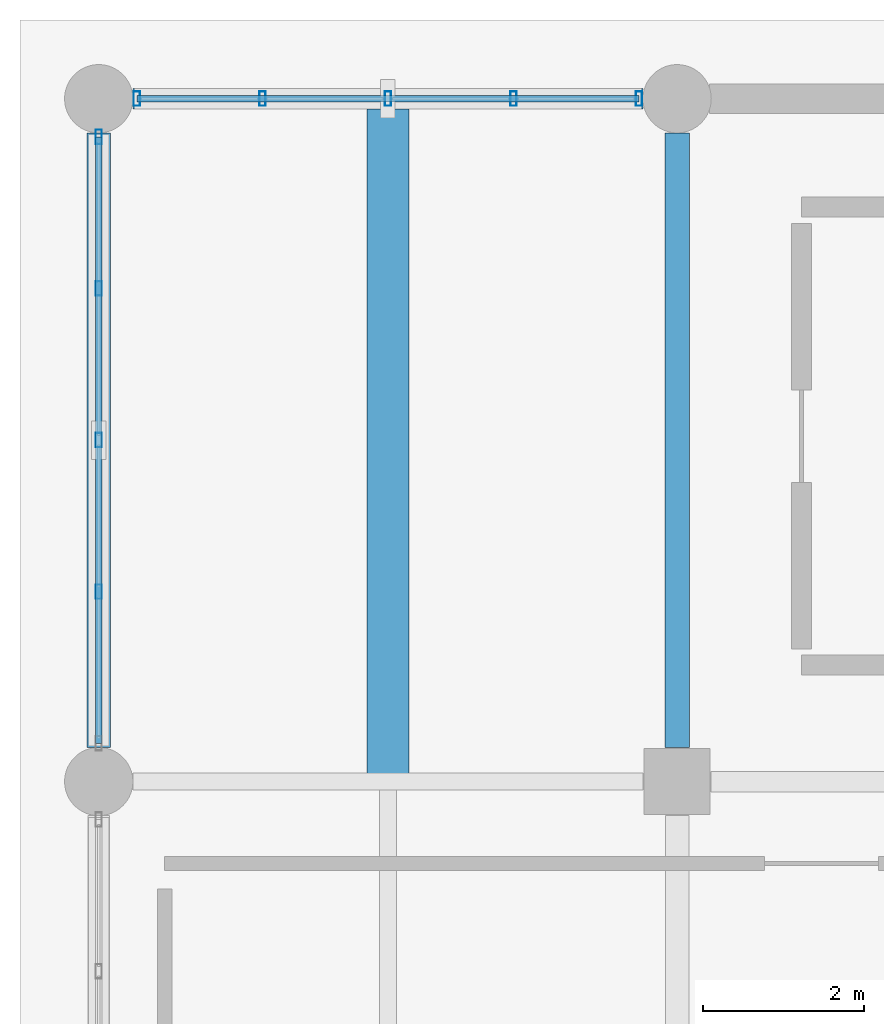
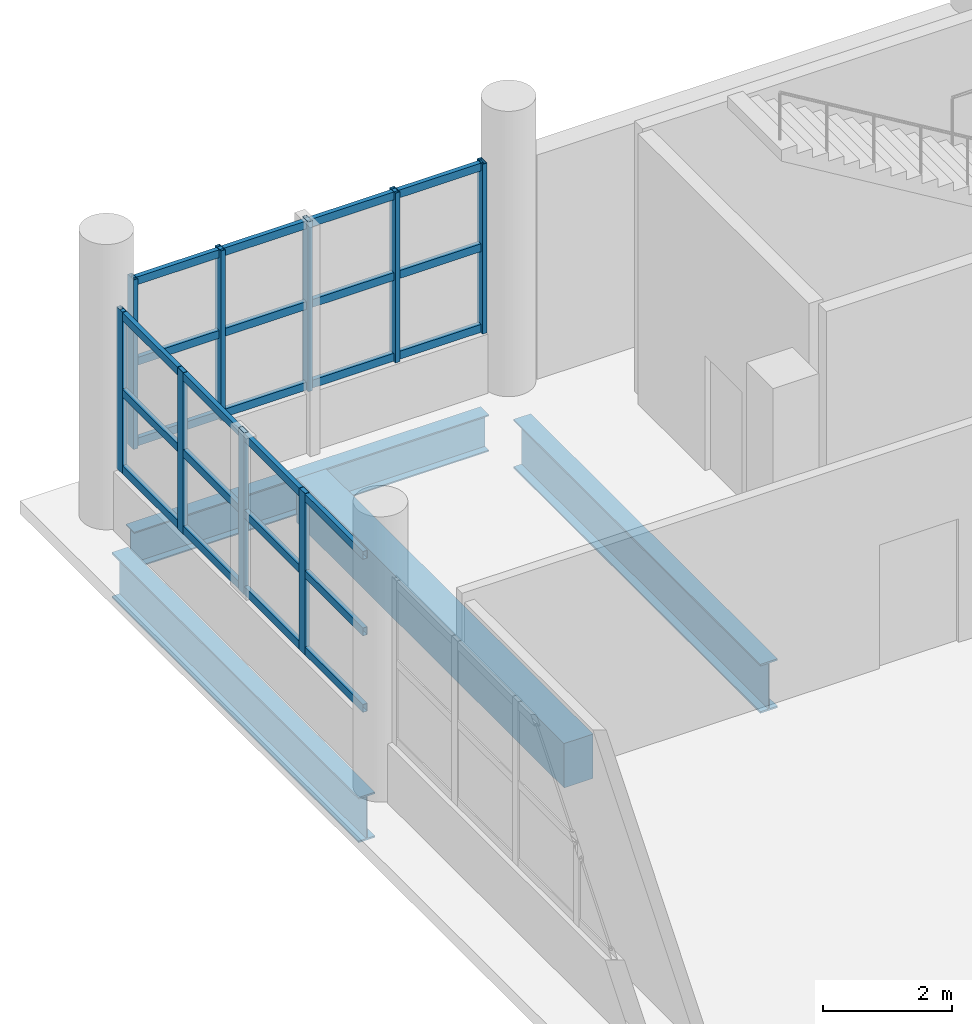
# One storey, part 63 of 107: 15 members, 4 beams, 2 elements without a shape of their own.
"""IFC4 building model written with IfcOpenShell, lengths in metres."""

import ifcopenshell
import ifcopenshell.guid

model = None  # the IFC model being written
_history = None  # IfcOwnerHistory: only IFC2X3 demands one
_inside = {}  # id of a spatial element -> (the spatial element, [elements in it])
_under = {}  # id of a project, library or spatial element -> (it, [spatial elements below it])
_declared = {}  # id of a project -> (the project, [libraries it declares])
_typed = {}  # id of a type object -> (the type object, [elements of that type])
_made_of = {}  # id of a material, layer set ... -> (it, [elements and type objects made of it])


def new_model(schema):
    """Start an empty IFC model of exactly this schema.

    Asked for "IFC4X3", IfcOpenShell would pick the latest addendum, in which some entities
    have other attributes; the version numbers below select the first issue.
    IFC2X3 requires an IfcOwnerHistory on every rooted entity: one is made here for all.
    """
    global model, _history
    if schema == "IFC4X3":
        model = ifcopenshell.file(schema_version=(4, 3, 0, 0))
    else:
        model = ifcopenshell.file(schema=schema)
    _inside.clear()
    _under.clear()
    _declared.clear()
    _typed.clear()
    _made_of.clear()
    _history = None
    if model.schema == "IFC2X3":
        org = make("IfcOrganization", Name="unknown")
        user = make(
            "IfcPersonAndOrganization",
            ThePerson=make("IfcPerson", FamilyName="unknown"),
            TheOrganization=org,
        )
        app = make(
            "IfcApplication",
            ApplicationDeveloper=org,
            Version="unknown",
            ApplicationFullName="unknown",
            ApplicationIdentifier="unknown",
        )
        _history = make(
            "IfcOwnerHistory",
            OwningUser=user,
            OwningApplication=app,
            ChangeAction="ADDED",
            CreationDate=0,
        )
    return model


def make(cls, **values):
    """One entity of the class cls with the attributes given. An attribute that is None is left unset."""
    return model.create_entity(
        cls, **{name: value for name, value in values.items() if value is not None}
    )


def rooted(cls, **values):
    """An entity with a GlobalId (a new one), such as an element, a storey or a relation."""
    return make(cls, GlobalId=ifcopenshell.guid.new(), OwnerHistory=_history, **values)


def si_unit(unit_type, name, prefix=None):
    """IfcSIUnit, for example si_unit("LENGTHUNIT", "METRE", prefix="MILLI")."""
    return make("IfcSIUnit", UnitType=unit_type, Prefix=prefix, Name=name)


def assignment(units):
    """IfcUnitAssignment: the units of a project."""
    return None if units is None else make("IfcUnitAssignment", Units=units)


def point(xyz):
    """IfcCartesianPoint."""
    return None if xyz is None else make("IfcCartesianPoint", Coordinates=xyz)


def direction(xyz):
    """IfcDirection."""
    return None if xyz is None else make("IfcDirection", DirectionRatios=xyz)


def frame(location, z_axis=None, x_axis=None):
    """IfcAxis2Placement3D, a coordinate frame: its origin and axes. An axis left out is left unset."""
    return make(
        "IfcAxis2Placement3D",
        Location=point(location),
        Axis=direction(z_axis),
        RefDirection=direction(x_axis),
    )


def frame_2d(location, x_axis=None):
    """IfcAxis2Placement2D, a coordinate frame in the plane: its origin and x axis."""
    return make(
        "IfcAxis2Placement2D", Location=point(location), RefDirection=direction(x_axis)
    )


def origin():
    """The frame at (0, 0, 0) with its axes left unset."""
    return frame((0.0, 0.0, 0.0))


def origin_2d():
    """The frame at (0, 0) in the plane with its x axis left unset."""
    return frame_2d((0.0, 0.0))


def place(relative_to, where):
    """IfcLocalPlacement: puts the frame where relative to a parent placement (None: the world)."""
    return make(
        "IfcLocalPlacement", PlacementRelTo=relative_to, RelativePlacement=where
    )


def context(
    kind, dimensions, precision=None, world=None, true_north=None, identifier=None
):
    """IfcGeometricRepresentationContext, for example the 3D "Model" context."""
    return make(
        "IfcGeometricRepresentationContext",
        ContextIdentifier=identifier,
        ContextType=kind,
        CoordinateSpaceDimension=dimensions,
        Precision=precision,
        WorldCoordinateSystem=world,
        TrueNorth=true_north,
    )


def subcontext(parent, identifier, kind, view, scale=None):
    """IfcGeometricRepresentationSubContext, for example "Body" below "Model"."""
    return make(
        "IfcGeometricRepresentationSubContext",
        ContextIdentifier=identifier,
        ContextType=kind,
        ParentContext=parent,
        TargetScale=scale,
        TargetView=view,
    )


def project(units=None, contexts=None):
    """IfcProject with its units and contexts."""
    return rooted(
        "IfcProject",
        Name="project",
        RepresentationContexts=contexts,
        UnitsInContext=assignment(units),
    )


def spatial(cls, under=None, at=None, **own):
    """A site, building, storey or space (cls), placed at a placement, below another one or the project."""
    s = rooted(cls, ObjectPlacement=at, **own)
    if under is not None:
        _under.setdefault(under.id(), (under, []))[1].append(s)
    return s


def profile(cls, at=None, kind="AREA", **sizes):
    """A parametric profile (cls). Its sizes go by their IFC names, for example OverallWidth=200.0."""
    return make(cls, ProfileType=kind, Position=at, **sizes)


def rectangle(**sizes):
    """IfcRectangleProfileDef."""
    return profile("IfcRectangleProfileDef", **sizes)


def hollow_rectangle(**sizes):
    """IfcRectangleHollowProfileDef."""
    return profile("IfcRectangleHollowProfileDef", **sizes)


def i_section(**sizes):
    """IfcIShapeProfileDef."""
    return profile("IfcIShapeProfileDef", **sizes)


def extrude(swept, where, along, depth):
    """IfcExtrudedAreaSolid: the profile swept, set in the frame where, extruded along a direction by depth."""
    return make(
        "IfcExtrudedAreaSolid",
        SweptArea=swept,
        Position=where,
        ExtrudedDirection=direction(along),
        Depth=depth,
    )


def shape(context_of_items, identifier, shape_type, items):
    """IfcShapeRepresentation: the items that make up one representation, for example the "Body"."""
    return make(
        "IfcShapeRepresentation",
        ContextOfItems=context_of_items,
        RepresentationIdentifier=identifier,
        RepresentationType=shape_type,
        Items=items,
    )


def material(Name=None, Category=None):
    """IfcMaterial."""
    return make("IfcMaterial", Name=Name, Category=Category)


def material_profile(
    of_material, cross_section, Name=None, Category=None, Priority=None
):
    """IfcMaterialProfile: a cross section and its material."""
    return make(
        "IfcMaterialProfile",
        Name=Name,
        Material=of_material,
        Profile=cross_section,
        Priority=Priority,
        Category=Category,
    )


def profile_set(profiles, Name=None, composite=None):
    """IfcMaterialProfileSet."""
    return make(
        "IfcMaterialProfileSet",
        Name=Name,
        MaterialProfiles=profiles,
        CompositeProfile=composite,
    )


def made_of(thing, what):
    """Note that an element or type object is made of a material, layer set ...; save() writes the relation."""
    if what is not None:
        _made_of.setdefault(what.id(), (what, []))[1].append(thing)
    return thing


def type_object(cls, material=None, **own):
    """A type object (cls), such as IfcWallType, which elements share."""
    return made_of(rooted(cls, **own), material)


def element(
    cls,
    number,
    at=None,
    inside=None,
    cuts=None,
    type_object=None,
    material=None,
    context=None,
    identifier="Body",
    shape_type=None,
    held_by="IfcProductDefinitionShape",
    body=None,
    shapes=None,
    **own,
):
    """One element of the class cls, such as IfcWall. Its Tag is "e" and its number.

    at: its placement. inside: the storey or other place that contains it. cuts: it is an
    opening in that element (IfcRelVoidsElement). A single representation is given by context,
    identifier, shape_type and body (its items); several are given by shapes. held_by: the class
    of the entity that holds the representations. save() writes the other relations.
    """
    e = rooted(cls, Tag="e%d" % number, ObjectPlacement=at, **own)
    if body is not None:
        shapes = [shape(context, identifier, shape_type, body)]
    if shapes is not None:
        e.Representation = make(held_by, Representations=shapes)
    if inside is not None:
        _inside.setdefault(inside.id(), (inside, []))[1].append(e)
    if cuts is not None:
        rooted(
            "IfcRelVoidsElement", RelatingBuildingElement=cuts, RelatedOpeningElement=e
        )
    if type_object is not None:
        _typed.setdefault(type_object.id(), (type_object, []))[1].append(e)
    return made_of(e, material)


def aggregate(whole, parts):
    """IfcRelAggregates: a whole, such as a stair, and the parts it consists of."""
    return rooted("IfcRelAggregates", RelatingObject=whole, RelatedObjects=parts)


def save(model, path):
    """Write the relations noted so far, then the file.

    IfcRelAggregates (storeys below a building ...), IfcRelContainedInSpatialStructure (elements
    in a storey), IfcRelDefinesByType, IfcRelAssociatesMaterial and IfcRelDeclares: one each for
    every whole, place, type object, material and project.
    """
    for whole, parts in _under.values():
        aggregate(whole, parts)
    for where, things in _inside.values():
        rooted(
            "IfcRelContainedInSpatialStructure",
            RelatedElements=things,
            RelatingStructure=where,
        )
    for kind, things in _typed.values():
        rooted("IfcRelDefinesByType", RelatedObjects=things, RelatingType=kind)
    for what, things in _made_of.values():
        rooted("IfcRelAssociatesMaterial", RelatedObjects=things, RelatingMaterial=what)
    for by, libraries in _declared.values():
        rooted("IfcRelDeclares", RelatingContext=by, RelatedDefinitions=libraries)
    model.write(path)


model = new_model("IFC4")

# Units and contexts
model_context = context("Model", 3, precision=1e-05, world=origin(), true_north=direction((0.0, 1.0)))
body_context = subcontext(model_context, "Body", "Model", "MODEL_VIEW")
ifc_project = project(units=[si_unit("LENGTHUNIT", "METRE"), si_unit("AREAUNIT", "SQUARE_METRE"), si_unit("VOLUMEUNIT", "CUBIC_METRE"), si_unit("PLANEANGLEUNIT", "RADIAN"), si_unit("MASSUNIT", "GRAM", prefix="KILO")], contexts=[model_context])

# Site, building, storey
site_placement = place(None, origin())
site = spatial("IfcSite", under=ifc_project, at=site_placement, CompositionType="ELEMENT")
building_placement = place(site_placement, origin())
building = spatial("IfcBuilding", under=site, at=building_placement, Name="Solvento Point Concert Hall", CompositionType="ELEMENT")
storey_placement = place(building_placement, origin())
storey = spatial("IfcBuildingStorey", under=building, at=storey_placement, Name="L00", CompositionType="ELEMENT", Elevation=0.0)

# Beams
ifc_material_1 = material(Name="Concrete C35/45", Category="concrete")
ifc_material_profile_1 = material_profile(ifc_material_1, rectangle(XDim=0.52001953125, YDim=0.840087890625, at=origin_2d()), Name="RC-BM-520X840")
ifc_profile_set_1 = profile_set([ifc_material_profile_1], Name="Concrete C35/45")
beam_type_1 = type_object("IfcBeamType", Name="Beam_RC_520x840", PredefinedType="BEAM", material=ifc_profile_set_1)
beam_1_placement = place(storey_placement, frame((3.60009765625, 127.592041015625, -0.833984375), z_axis=(0.0, 1.0, 0.0), x_axis=(-1.0, 0.0, 0.0)))
element("IfcBeam", 1, at=beam_1_placement, inside=storey, type_object=beam_type_1, Name="Secondary floor joist B-54 L00", PredefinedType="BEAM", context=body_context, shape_type="SweptSolid", body=[
    extrude(rectangle(XDim=0.52001953125, YDim=0.840087890625, at=origin_2d()), origin(), (0.0, 0.0, 1.0), 8.294921875),
])
ifc_material_2 = material(Name="Structural Steel ASTM A992 Grade 50", Category="steel")
ifc_material_profile_2 = material_profile(ifc_material_2, i_section(OverallWidth=0.256103515625, OverallDepth=0.693115234375, WebThickness=0.014404296875, FlangeThickness=0.023681640625, at=origin_2d()), Name="W27X114")
ifc_profile_set_2 = profile_set([ifc_material_profile_2], Name="Structural Steel ASTM A992 Grade 50")
beam_type_2 = type_object("IfcBeamType", Name="Girder_W27X114", PredefinedType="USERDEFINED", material=ifc_profile_set_2)
beam_2_placement = place(storey_placement, frame((0.424072265625, 136.0, -0.760498046875), z_axis=(1.0, 0.0, 0.0), x_axis=(0.0, 1.0, 0.0)))
element("IfcBeam", 2, at=beam_2_placement, inside=storey, type_object=beam_type_2, Name="Primary girder B-23 L00", ObjectType="GIRDER", PredefinedType="USERDEFINED", context=body_context, shape_type="SweptSolid", body=[
    extrude(i_section(OverallWidth=0.256103515625, OverallDepth=0.693115234375, WebThickness=0.014404296875, FlangeThickness=0.023681640625, at=origin_2d()), origin(), (0.0, 0.0, 1.0), 6.351806640625),
])
ifc_material_3 = material(Name="Structural Steel ASTM A992 Grade 50", Category="steel")
ifc_material_profile_3 = material_profile(ifc_material_3, i_section(OverallWidth=0.2919921875, OverallDepth=0.85888671875, WebThickness=0.01708984375, FlangeThickness=0.031005859375, at=origin_2d()), Name="W33X169")
ifc_profile_set_3 = profile_set([ifc_material_profile_3], Name="Structural Steel ASTM A992 Grade 50")
beam_type_3 = type_object("IfcBeamType", Name="Girder_W33X169", PredefinedType="USERDEFINED", material=ifc_profile_set_3)
beam_3_placement = place(storey_placement, frame((0.0, 127.924072265625, -0.843505859375), z_axis=(0.0, 1.0, 0.0), x_axis=(-1.0, 0.0, 0.0)))
element("IfcBeam", 3, at=beam_3_placement, inside=storey, type_object=beam_type_3, Name="Primary girder B-33 L00", ObjectType="GIRDER", PredefinedType="USERDEFINED", context=body_context, shape_type="SweptSolid", body=[
    extrude(i_section(OverallWidth=0.2919921875, OverallDepth=0.85888671875, WebThickness=0.01708984375, FlangeThickness=0.031005859375, at=origin_2d()), origin(), (0.0, 0.0, 1.0), 7.65185546875),
])
ifc_material_4 = material(Name="Structural Steel ASTM A992 Grade 50", Category="steel")
ifc_material_profile_4 = material_profile(ifc_material_4, i_section(OverallWidth=0.3076171875, OverallDepth=0.927001953125, WebThickness=0.019287109375, FlangeThickness=0.031982421875, at=origin_2d()), Name="W36X194")
ifc_profile_set_4 = profile_set([ifc_material_profile_4], Name="Structural Steel ASTM A992 Grade 50")
beam_type_4 = type_object("IfcBeamType", Name="Girder_W36X194", PredefinedType="USERDEFINED", material=ifc_profile_set_4)
beam_4_placement = place(storey_placement, frame((7.199951171875, 127.924072265625, -0.87744140625), z_axis=(0.0, 1.0, 0.0), x_axis=(-1.0, 0.0, 0.0)))
element("IfcBeam", 4, at=beam_4_placement, inside=storey, type_object=beam_type_4, Name="Primary girder B-61 L00", ObjectType="GIRDER", PredefinedType="USERDEFINED", context=body_context, shape_type="SweptSolid", body=[
    extrude(i_section(OverallWidth=0.3076171875, OverallDepth=0.927001953125, WebThickness=0.019287109375, FlangeThickness=0.031982421875, at=origin_2d()), origin(), (0.0, 0.0, 1.0), 7.65185546875),
])

# Curtain wall, members
ifc_material_5 = material(Name="Anodized Bronze Aluminium", Category="aluminium")
curtain_wall_type = type_object("IfcCurtainWallType", Name="CurtainWall_CourtPilotis", PredefinedType="USERDEFINED", material=ifc_material_5)
curtain_wall_1_placement = place(storey_placement, origin())
curtain_wall_1 = element("IfcCurtainWall", 5, at=curtain_wall_1_placement, inside=storey, type_object=curtain_wall_type, Name="Unitised curtain wall CW-96 UCW-L00-062", ObjectType="UNITISED CURTAIN WALL", PredefinedType="USERDEFINED")
ifc_material_6 = material(Name="Anodized Bronze Aluminium", Category="aluminium")
ifc_material_profile_5 = material_profile(ifc_material_6, hollow_rectangle(XDim=0.080078125, YDim=0.179931640625, WallThickness=0.00390625, at=origin_2d()), Name="CW-MUL-80X180")
ifc_profile_set_5 = profile_set([ifc_material_profile_5], Name="Anodized Bronze Aluminium")
member_type_1 = type_object("IfcMemberType", Name="Mullion_80x180", PredefinedType="MULLION", material=ifc_profile_set_5)
member_1_placement = place(storey_placement, frame((0.47509765625, 136.0, 1.1201171875), z_axis=(0.0, 0.0, 1.0), x_axis=(1.0, 0.0, 0.0)))
member_1 = element("IfcMember", 6, at=member_1_placement, type_object=member_type_1, Name="Curtain wall mullion ML-01", PredefinedType="MULLION", context=body_context, shape_type="SweptSolid", body=[
    extrude(hollow_rectangle(XDim=0.080078125, YDim=0.179931640625, WallThickness=0.00390625, at=origin_2d()), origin(), (0.0, 0.0, 1.0), 3.2138671875),
])
member_2_placement = place(storey_placement, frame((2.03759765625, 136.0, 1.1201171875), z_axis=(0.0, 0.0, 1.0), x_axis=(1.0, 0.0, 0.0)))
member_2 = element("IfcMember", 7, at=member_2_placement, type_object=member_type_1, Name="Curtain wall mullion ML-01", PredefinedType="MULLION", context=body_context, shape_type="SweptSolid", body=[
    extrude(hollow_rectangle(XDim=0.080078125, YDim=0.179931640625, WallThickness=0.00390625, at=origin_2d()), origin(), (0.0, 0.0, 1.0), 3.2138671875),
])
member_3_placement = place(storey_placement, frame((3.60009765625, 136.0, 1.1201171875), z_axis=(0.0, 0.0, 1.0), x_axis=(1.0, 0.0, 0.0)))
member_3 = element("IfcMember", 8, at=member_3_placement, type_object=member_type_1, Name="Curtain wall mullion ML-01", PredefinedType="MULLION", context=body_context, shape_type="SweptSolid", body=[
    extrude(hollow_rectangle(XDim=0.080078125, YDim=0.179931640625, WallThickness=0.00390625, at=origin_2d()), origin(), (0.0, 0.0, 1.0), 3.2138671875),
])
member_4_placement = place(storey_placement, frame((5.16259765625, 136.0, 1.1201171875), z_axis=(0.0, 0.0, 1.0), x_axis=(1.0, 0.0, 0.0)))
member_4 = element("IfcMember", 9, at=member_4_placement, type_object=member_type_1, Name="Curtain wall mullion ML-01", PredefinedType="MULLION", context=body_context, shape_type="SweptSolid", body=[
    extrude(hollow_rectangle(XDim=0.080078125, YDim=0.179931640625, WallThickness=0.00390625, at=origin_2d()), origin(), (0.0, 0.0, 1.0), 3.2138671875),
])
member_5_placement = place(storey_placement, frame((6.72509765625, 136.0, 1.1201171875), z_axis=(0.0, 0.0, 1.0), x_axis=(1.0, 0.0, 0.0)))
member_5 = element("IfcMember", 10, at=member_5_placement, type_object=member_type_1, Name="Curtain wall mullion ML-01", PredefinedType="MULLION", context=body_context, shape_type="SweptSolid", body=[
    extrude(hollow_rectangle(XDim=0.080078125, YDim=0.179931640625, WallThickness=0.00390625, at=origin_2d()), origin(), (0.0, 0.0, 1.0), 3.2138671875),
])

curtain_wall_2_placement = place(storey_placement, origin())
curtain_wall_2 = element("IfcCurtainWall", 11, at=curtain_wall_2_placement, inside=storey, type_object=curtain_wall_type, Name="Unitised curtain wall CW-96 UCW-L00-072", ObjectType="UNITISED CURTAIN WALL", PredefinedType="USERDEFINED")
member_6_placement = place(storey_placement, frame((0.0, 129.862548828125, 1.1201171875), z_axis=(0.0, 0.0, 1.0), x_axis=(1.0, 0.0, 0.0)))
member_6 = element("IfcMember", 12, at=member_6_placement, type_object=member_type_1, Name="Curtain wall mullion ML-01", PredefinedType="MULLION", context=body_context, shape_type="SweptSolid", body=[
    extrude(hollow_rectangle(XDim=0.080078125, YDim=0.179931640625, WallThickness=0.00390625, at=origin_2d()), origin(), (0.0, 0.0, 1.0), 3.056884765625),
])
member_7_placement = place(storey_placement, frame((0.0, 131.75, 1.1201171875), z_axis=(0.0, 0.0, 1.0), x_axis=(1.0, 0.0, 0.0)))
member_7 = element("IfcMember", 13, at=member_7_placement, type_object=member_type_1, Name="Curtain wall mullion ML-01", PredefinedType="MULLION", context=body_context, shape_type="SweptSolid", body=[
    extrude(hollow_rectangle(XDim=0.080078125, YDim=0.179931640625, WallThickness=0.00390625, at=origin_2d()), origin(), (0.0, 0.0, 1.0), 3.056884765625),
])
member_8_placement = place(storey_placement, frame((0.0, 133.637451171875, 1.1201171875), z_axis=(0.0, 0.0, 1.0), x_axis=(1.0, 0.0, 0.0)))
member_8 = element("IfcMember", 14, at=member_8_placement, type_object=member_type_1, Name="Curtain wall mullion ML-01", PredefinedType="MULLION", context=body_context, shape_type="SweptSolid", body=[
    extrude(hollow_rectangle(XDim=0.080078125, YDim=0.179931640625, WallThickness=0.00390625, at=origin_2d()), origin(), (0.0, 0.0, 1.0), 3.056884765625),
])
member_9_placement = place(storey_placement, frame((0.0, 135.52490234375, 1.1201171875), z_axis=(0.0, 0.0, 1.0), x_axis=(1.0, 0.0, 0.0)))
member_9 = element("IfcMember", 15, at=member_9_placement, type_object=member_type_1, Name="Curtain wall mullion ML-01", PredefinedType="MULLION", context=body_context, shape_type="SweptSolid", body=[
    extrude(hollow_rectangle(XDim=0.080078125, YDim=0.179931640625, WallThickness=0.00390625, at=origin_2d()), origin(), (0.0, 0.0, 1.0), 3.056884765625),
])

# Member
ifc_material_7 = material(Name="Anodized Bronze Aluminium", Category="aluminium")
ifc_material_profile_6 = material_profile(ifc_material_7, hollow_rectangle(XDim=0.080078125, YDim=0.14990234375, WallThickness=0.00390625, at=origin_2d()), Name="CW-TRN-80X150")
ifc_profile_set_6 = profile_set([ifc_material_profile_6], Name="Anodized Bronze Aluminium")
member_type_2 = type_object("IfcMemberType", Name="Transom_80x150", PredefinedType="USERDEFINED", material=ifc_profile_set_6)
member_10_placement = place(storey_placement, frame((0.47509765625, 136.0, 1.199951171875), z_axis=(1.0, 0.0, 0.0), x_axis=(0.0, 1.0, 0.0)))
member_10 = element("IfcMember", 16, at=member_10_placement, type_object=member_type_2, Name="Curtain wall transom TR-01", ObjectType="TRANSOM", PredefinedType="USERDEFINED", context=body_context, shape_type="SweptSolid", body=[
    extrude(hollow_rectangle(XDim=0.080078125, YDim=0.14990234375, WallThickness=0.00390625, at=origin_2d()), origin(), (0.0, 0.0, 1.0), 6.25),
])

member_11_placement = place(storey_placement, frame((0.47509765625, 136.0, 2.72705078125), z_axis=(1.0, 0.0, 0.0), x_axis=(0.0, 1.0, 0.0)))
member_11 = element("IfcMember", 17, at=member_11_placement, type_object=member_type_2, Name="Curtain wall transom TR-01", ObjectType="TRANSOM", PredefinedType="USERDEFINED", context=body_context, shape_type="SweptSolid", body=[
    extrude(hollow_rectangle(XDim=0.080078125, YDim=0.14990234375, WallThickness=0.00390625, at=origin_2d()), origin(), (0.0, 0.0, 1.0), 6.25),
])

member_12_placement = place(storey_placement, frame((0.47509765625, 136.0, 4.25390625), z_axis=(1.0, 0.0, 0.0), x_axis=(0.0, 1.0, 0.0)))
member_12 = element("IfcMember", 18, at=member_12_placement, type_object=member_type_2, Name="Curtain wall transom TR-01", ObjectType="TRANSOM", PredefinedType="USERDEFINED", context=body_context, shape_type="SweptSolid", body=[
    extrude(hollow_rectangle(XDim=0.080078125, YDim=0.14990234375, WallThickness=0.00390625, at=origin_2d()), origin(), (0.0, 0.0, 1.0), 6.25),
])

aggregate(curtain_wall_1, [member_1, member_2, member_3, member_4, member_5, member_10, member_11, member_12])

member_13_placement = place(storey_placement, frame((0.0, 127.97509765625, 1.199951171875), z_axis=(0.0, 1.0, 0.0), x_axis=(-1.0, 0.0, 0.0)))
member_13 = element("IfcMember", 19, at=member_13_placement, type_object=member_type_2, Name="Curtain wall transom TR-01", ObjectType="TRANSOM", PredefinedType="USERDEFINED", context=body_context, shape_type="SweptSolid", body=[
    extrude(hollow_rectangle(XDim=0.080078125, YDim=0.14990234375, WallThickness=0.00390625, at=origin_2d()), origin(), (0.0, 0.0, 1.0), 7.5498046875),
])

member_14_placement = place(storey_placement, frame((0.0, 127.97509765625, 2.6484375), z_axis=(0.0, 1.0, 0.0), x_axis=(-1.0, 0.0, 0.0)))
member_14 = element("IfcMember", 20, at=member_14_placement, type_object=member_type_2, Name="Curtain wall transom TR-01", ObjectType="TRANSOM", PredefinedType="USERDEFINED", context=body_context, shape_type="SweptSolid", body=[
    extrude(hollow_rectangle(XDim=0.080078125, YDim=0.14990234375, WallThickness=0.00390625, at=origin_2d()), origin(), (0.0, 0.0, 1.0), 7.5498046875),
])

member_15_placement = place(storey_placement, frame((0.0, 127.97509765625, 4.096923828125), z_axis=(0.0, 1.0, 0.0), x_axis=(-1.0, 0.0, 0.0)))
member_15 = element("IfcMember", 21, at=member_15_placement, type_object=member_type_2, Name="Curtain wall transom TR-01", ObjectType="TRANSOM", PredefinedType="USERDEFINED", context=body_context, shape_type="SweptSolid", body=[
    extrude(hollow_rectangle(XDim=0.080078125, YDim=0.14990234375, WallThickness=0.00390625, at=origin_2d()), origin(), (0.0, 0.0, 1.0), 7.5498046875),
])

aggregate(curtain_wall_2, [member_6, member_7, member_8, member_9, member_13, member_14, member_15])

save(model, "model.ifc")
